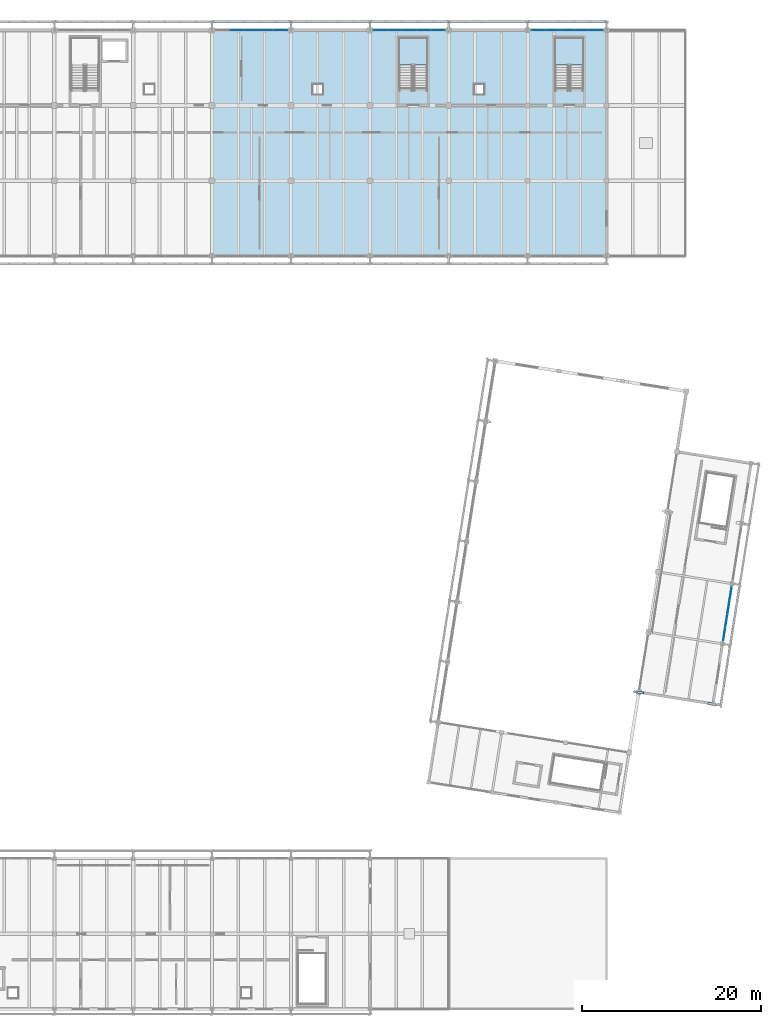
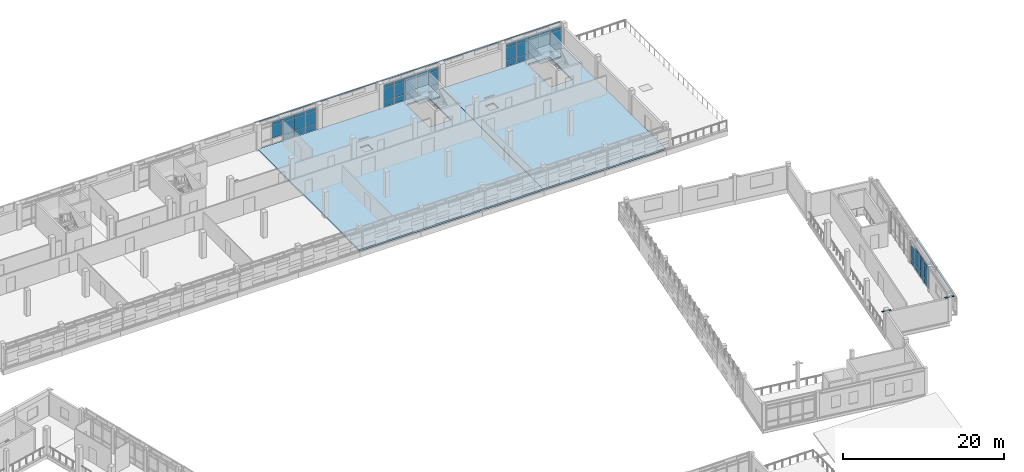
# One storey, part 91 of 117: 61 plates, 4 slabs, 6 elements without a shape of their own.
"""IFC4 building model written with IfcOpenShell, lengths in metres."""

from ifc_helpers import new_model, si_unit, direction, frame, origin, origin_2d, place, context, subcontext, project, spatial, polyline, rectangle, outline, extrude, material, layer, layer_set, type_object, element, aggregate, save


model = new_model("IFC4")

# Units and contexts
model_context = context("Model", 3, precision=1e-05, world=origin(), true_north=direction((0.0, 1.0)))
body_context = subcontext(model_context, "Body", "Model", "MODEL_VIEW")
ifc_project = project(units=[si_unit("LENGTHUNIT", "METRE"), si_unit("AREAUNIT", "SQUARE_METRE"), si_unit("VOLUMEUNIT", "CUBIC_METRE"), si_unit("PLANEANGLEUNIT", "RADIAN"), si_unit("MASSUNIT", "GRAM", prefix="KILO")], contexts=[model_context])

# Site, building, storey
site_placement = place(None, origin())
site = spatial("IfcSite", under=ifc_project, at=site_placement, CompositionType="ELEMENT")
building_placement = place(site_placement, origin())
building = spatial("IfcBuilding", under=site, at=building_placement, Name="Cinderway Yard Community Centre", CompositionType="ELEMENT")
storey_placement = place(building_placement, frame((0.0, 0.0, 9.0)))
storey = spatial("IfcBuildingStorey", under=building, at=storey_placement, Name="L02", CompositionType="ELEMENT", Elevation=9.0)

# Curtain wall, plates
ifc_material_1 = material(Name="Aluminium 6063-T6", Category="aluminium")
curtain_wall_type_1 = type_object("IfcCurtainWallType", Name="ENV-CW-TYPE-19", PredefinedType="USERDEFINED", material=ifc_material_1)
curtain_wall_1_placement = place(storey_placement, origin())
curtain_wall_1 = element("IfcCurtainWall", 1, at=curtain_wall_1_placement, inside=storey, type_object=curtain_wall_type_1, Name="Fitness East Curtain Wall ENV-CW-L02-ST-0067", ObjectType="GLAZED CURTAIN WALL", PredefinedType="USERDEFINED")
ifc_material_2 = material(Name="Laminated Low-E Glass", Category="glass")
ifc_layer_1 = layer(ifc_material_2, 0.028076171875, Name="Laminated Low-E Glass")
ifc_layer_set_1 = layer_set([ifc_layer_1], Name="Laminated Low-E Glass")
plate_type_1 = type_object("IfcPlateType", Name="ENV-CW-PAN-IGU28", PredefinedType="CURTAIN_PANEL", material=ifc_layer_set_1)
plate_1_placement = place(storey_placement, frame((149.9345703125, 47.853759765625, 0.06005859375), z_axis=(0.0, 0.0, 1.0), x_axis=(0.156417211778, 0.987691073089, 0.0)))
plate_1 = element("IfcPlate", 2, at=plate_1_placement, type_object=plate_type_1, Name="CW-19 panel 1.1", PredefinedType="CURTAIN_PANEL", context=body_context, shape_type="SweptSolid", body=[
    extrude(rectangle(XDim=1.434814453125, YDim=0.028076171875, at=origin_2d()), origin(), (0.0, 0.0, 1.0), 0.81005859375),
])
plate_2_placement = place(storey_placement, frame((149.9345703125, 47.853759765625, 0.929931640625), z_axis=(0.0, 0.0, 1.0), x_axis=(0.156417211778, 0.987691073089, 0.0)))
plate_2 = element("IfcPlate", 3, at=plate_2_placement, type_object=plate_type_1, Name="CW-19 panel 1.2", PredefinedType="CURTAIN_PANEL", context=body_context, shape_type="SweptSolid", body=[
    extrude(rectangle(XDim=1.434814453125, YDim=0.028076171875, at=origin_2d()), origin(), (0.0, 0.0, 1.0), 1.93994140625),
])
plate_3_placement = place(storey_placement, frame((149.9345703125, 47.853759765625, 2.929931640625), z_axis=(0.0, 0.0, 1.0), x_axis=(0.156417211778, 0.987691073089, 0.0)))
plate_3 = element("IfcPlate", 4, at=plate_3_placement, type_object=plate_type_1, Name="CW-19 panel 1.3", PredefinedType="CURTAIN_PANEL", context=body_context, shape_type="SweptSolid", body=[
    extrude(rectangle(XDim=1.434814453125, YDim=0.028076171875, at=origin_2d()), origin(), (0.0, 0.0, 1.0), 0.4599609375),
])
plate_4_placement = place(storey_placement, frame((150.170654296875, 49.344970703125, 0.06005859375), z_axis=(0.0, 0.0, 1.0), x_axis=(0.156417211778, 0.987691073089, 0.0)))
plate_4 = element("IfcPlate", 5, at=plate_4_placement, type_object=plate_type_1, Name="CW-19 panel 2.1", PredefinedType="CURTAIN_PANEL", context=body_context, shape_type="SweptSolid", body=[
    extrude(rectangle(XDim=1.46484375, YDim=0.028076171875, at=origin_2d()), origin(), (0.0, 0.0, 1.0), 0.81005859375),
])
plate_5_placement = place(storey_placement, frame((150.170654296875, 49.344970703125, 0.929931640625), z_axis=(0.0, 0.0, 1.0), x_axis=(0.156417211778, 0.987691073089, 0.0)))
plate_5 = element("IfcPlate", 6, at=plate_5_placement, type_object=plate_type_1, Name="CW-19 panel 2.2", PredefinedType="CURTAIN_PANEL", context=body_context, shape_type="SweptSolid", body=[
    extrude(rectangle(XDim=1.46484375, YDim=0.028076171875, at=origin_2d()), origin(), (0.0, 0.0, 1.0), 1.93994140625),
])
plate_6_placement = place(storey_placement, frame((150.170654296875, 49.344970703125, 2.929931640625), z_axis=(0.0, 0.0, 1.0), x_axis=(0.156417211778, 0.987691073089, 0.0)))
plate_6 = element("IfcPlate", 7, at=plate_6_placement, type_object=plate_type_1, Name="CW-19 panel 2.3", PredefinedType="CURTAIN_PANEL", context=body_context, shape_type="SweptSolid", body=[
    extrude(rectangle(XDim=1.46484375, YDim=0.028076171875, at=origin_2d()), origin(), (0.0, 0.0, 1.0), 0.4599609375),
])
plate_7_placement = place(storey_placement, frame((150.4091796875, 50.85107421875, 0.06005859375), z_axis=(0.0, 0.0, 1.0), x_axis=(0.156417211778, 0.987691073089, 0.0)))
plate_7 = element("IfcPlate", 8, at=plate_7_placement, type_object=plate_type_1, Name="CW-19 panel 3.1", PredefinedType="CURTAIN_PANEL", context=body_context, shape_type="SweptSolid", body=[
    extrude(rectangle(XDim=1.46484375, YDim=0.028076171875, at=origin_2d()), origin(), (0.0, 0.0, 1.0), 0.81005859375),
])
plate_8_placement = place(storey_placement, frame((150.4091796875, 50.85107421875, 0.929931640625), z_axis=(0.0, 0.0, 1.0), x_axis=(0.156417211778, 0.987691073089, 0.0)))
plate_8 = element("IfcPlate", 9, at=plate_8_placement, type_object=plate_type_1, Name="CW-19 panel 3.2", PredefinedType="CURTAIN_PANEL", context=body_context, shape_type="SweptSolid", body=[
    extrude(rectangle(XDim=1.46484375, YDim=0.028076171875, at=origin_2d()), origin(), (0.0, 0.0, 1.0), 1.93994140625),
])
plate_9_placement = place(storey_placement, frame((150.4091796875, 50.85107421875, 2.929931640625), z_axis=(0.0, 0.0, 1.0), x_axis=(0.156417211778, 0.987691073089, 0.0)))
plate_9 = element("IfcPlate", 10, at=plate_9_placement, type_object=plate_type_1, Name="CW-19 panel 3.3", PredefinedType="CURTAIN_PANEL", context=body_context, shape_type="SweptSolid", body=[
    extrude(rectangle(XDim=1.46484375, YDim=0.028076171875, at=origin_2d()), origin(), (0.0, 0.0, 1.0), 0.4599609375),
])
plate_10_placement = place(storey_placement, frame((150.6455078125, 52.34228515625, 0.06005859375), z_axis=(0.0, 0.0, 1.0), x_axis=(0.156417211778, 0.987691073089, 0.0)))
plate_10 = element("IfcPlate", 11, at=plate_10_placement, type_object=plate_type_1, Name="CW-19 panel 4.1", PredefinedType="CURTAIN_PANEL", context=body_context, shape_type="SweptSolid", body=[
    extrude(rectangle(XDim=1.434814453125, YDim=0.028076171875, at=origin_2d()), origin(), (0.0, 0.0, 1.0), 0.81005859375),
])
plate_11_placement = place(storey_placement, frame((150.6455078125, 52.34228515625, 0.929931640625), z_axis=(0.0, 0.0, 1.0), x_axis=(0.156417211778, 0.987691073089, 0.0)))
plate_11 = element("IfcPlate", 12, at=plate_11_placement, type_object=plate_type_1, Name="CW-19 panel 4.2", PredefinedType="CURTAIN_PANEL", context=body_context, shape_type="SweptSolid", body=[
    extrude(rectangle(XDim=1.434814453125, YDim=0.028076171875, at=origin_2d()), origin(), (0.0, 0.0, 1.0), 1.93994140625),
])
aggregate(curtain_wall_1, [plate_1, plate_2, plate_3, plate_4, plate_5, plate_6, plate_7, plate_8, plate_9, plate_10, plate_11])

curtain_wall_type_2 = type_object("IfcCurtainWallType", Name="ENV-CW-TYPE-30", PredefinedType="USERDEFINED", material=ifc_material_1)
curtain_wall_2_placement = place(storey_placement, origin())
curtain_wall_2 = element("IfcCurtainWall", 13, at=curtain_wall_2_placement, inside=storey, type_object=curtain_wall_type_2, Name="V4 Street Curtain Wall ENV-CW-L02-ST-0151", ObjectType="GLAZED CURTAIN WALL", PredefinedType="USERDEFINED")
plate_12_placement = place(storey_placement, frame((95.592041015625, 115.199951171875, 0.929931640625), z_axis=(0.0, 0.0, 1.0), x_axis=(1.0, 0.0, 0.0)))
plate_12 = element("IfcPlate", 14, at=plate_12_placement, type_object=plate_type_1, Name="CW-30 panel 2.2", PredefinedType="CURTAIN_PANEL", context=body_context, shape_type="SweptSolid", body=[
    extrude(rectangle(XDim=1.548095703125, YDim=0.028076171875, at=origin_2d()), origin(), (0.0, 0.0, 1.0), 1.93994140625),
])
plate_13_placement = place(storey_placement, frame((95.592041015625, 115.199951171875, 2.929931640625), z_axis=(0.0, 0.0, 1.0), x_axis=(1.0, 0.0, 0.0)))
plate_13 = element("IfcPlate", 15, at=plate_13_placement, type_object=plate_type_1, Name="CW-30 panel 2.3", PredefinedType="CURTAIN_PANEL", context=body_context, shape_type="SweptSolid", body=[
    extrude(rectangle(XDim=1.548095703125, YDim=0.028076171875, at=origin_2d()), origin(), (0.0, 0.0, 1.0), 0.4599609375),
])
plate_14_placement = place(storey_placement, frame((97.199951171875, 115.199951171875, 0.06005859375), z_axis=(0.0, 0.0, 1.0), x_axis=(1.0, 0.0, 0.0)))
plate_14 = element("IfcPlate", 16, at=plate_14_placement, type_object=plate_type_1, Name="CW-30 panel 3.1", PredefinedType="CURTAIN_PANEL", context=body_context, shape_type="SweptSolid", body=[
    extrude(rectangle(XDim=1.548095703125, YDim=0.028076171875, at=origin_2d()), origin(), (0.0, 0.0, 1.0), 0.81005859375),
])
plate_15_placement = place(storey_placement, frame((97.199951171875, 115.199951171875, 0.929931640625), z_axis=(0.0, 0.0, 1.0), x_axis=(1.0, 0.0, 0.0)))
plate_15 = element("IfcPlate", 17, at=plate_15_placement, type_object=plate_type_1, Name="CW-30 panel 3.2", PredefinedType="CURTAIN_PANEL", context=body_context, shape_type="SweptSolid", body=[
    extrude(rectangle(XDim=1.548095703125, YDim=0.028076171875, at=origin_2d()), origin(), (0.0, 0.0, 1.0), 1.93994140625),
])
plate_16_placement = place(storey_placement, frame((97.199951171875, 115.199951171875, 2.929931640625), z_axis=(0.0, 0.0, 1.0), x_axis=(1.0, 0.0, 0.0)))
plate_16 = element("IfcPlate", 18, at=plate_16_placement, type_object=plate_type_1, Name="CW-30 panel 3.3", PredefinedType="CURTAIN_PANEL", context=body_context, shape_type="SweptSolid", body=[
    extrude(rectangle(XDim=1.548095703125, YDim=0.028076171875, at=origin_2d()), origin(), (0.0, 0.0, 1.0), 0.4599609375),
])
plate_17_placement = place(storey_placement, frame((98.80810546875, 115.199951171875, 0.06005859375), z_axis=(0.0, 0.0, 1.0), x_axis=(1.0, 0.0, 0.0)))
plate_17 = element("IfcPlate", 19, at=plate_17_placement, type_object=plate_type_1, Name="CW-30 panel 4.1", PredefinedType="CURTAIN_PANEL", context=body_context, shape_type="SweptSolid", body=[
    extrude(rectangle(XDim=1.548095703125, YDim=0.028076171875, at=origin_2d()), origin(), (0.0, 0.0, 1.0), 0.81005859375),
])
plate_18_placement = place(storey_placement, frame((98.80810546875, 115.199951171875, 0.929931640625), z_axis=(0.0, 0.0, 1.0), x_axis=(1.0, 0.0, 0.0)))
plate_18 = element("IfcPlate", 20, at=plate_18_placement, type_object=plate_type_1, Name="CW-30 panel 4.2", PredefinedType="CURTAIN_PANEL", context=body_context, shape_type="SweptSolid", body=[
    extrude(rectangle(XDim=1.548095703125, YDim=0.028076171875, at=origin_2d()), origin(), (0.0, 0.0, 1.0), 1.93994140625),
])
plate_19_placement = place(storey_placement, frame((98.80810546875, 115.199951171875, 2.929931640625), z_axis=(0.0, 0.0, 1.0), x_axis=(1.0, 0.0, 0.0)))
plate_19 = element("IfcPlate", 21, at=plate_19_placement, type_object=plate_type_1, Name="CW-30 panel 4.3", PredefinedType="CURTAIN_PANEL", context=body_context, shape_type="SweptSolid", body=[
    extrude(rectangle(XDim=1.548095703125, YDim=0.028076171875, at=origin_2d()), origin(), (0.0, 0.0, 1.0), 0.4599609375),
])
plate_20_placement = place(storey_placement, frame((100.40087890625, 115.199951171875, 0.06005859375), z_axis=(0.0, 0.0, 1.0), x_axis=(1.0, 0.0, 0.0)))
plate_20 = element("IfcPlate", 22, at=plate_20_placement, type_object=plate_type_1, Name="CW-30 panel 5.1", PredefinedType="CURTAIN_PANEL", context=body_context, shape_type="SweptSolid", body=[
    extrude(rectangle(XDim=1.51806640625, YDim=0.028076171875, at=origin_2d()), origin(), (0.0, 0.0, 1.0), 0.81005859375),
])
plate_21_placement = place(storey_placement, frame((100.40087890625, 115.199951171875, 0.929931640625), z_axis=(0.0, 0.0, 1.0), x_axis=(1.0, 0.0, 0.0)))
plate_21 = element("IfcPlate", 23, at=plate_21_placement, type_object=plate_type_1, Name="CW-30 panel 5.2", PredefinedType="CURTAIN_PANEL", context=body_context, shape_type="SweptSolid", body=[
    extrude(rectangle(XDim=1.51806640625, YDim=0.028076171875, at=origin_2d()), origin(), (0.0, 0.0, 1.0), 1.93994140625),
])
plate_22_placement = place(storey_placement, frame((100.40087890625, 115.199951171875, 2.929931640625), z_axis=(0.0, 0.0, 1.0), x_axis=(1.0, 0.0, 0.0)))
plate_22 = element("IfcPlate", 24, at=plate_22_placement, type_object=plate_type_1, Name="CW-30 panel 5.3", PredefinedType="CURTAIN_PANEL", context=body_context, shape_type="SweptSolid", body=[
    extrude(rectangle(XDim=1.51806640625, YDim=0.028076171875, at=origin_2d()), origin(), (0.0, 0.0, 1.0), 0.4599609375),
])
aggregate(curtain_wall_2, [plate_12, plate_13, plate_14, plate_15, plate_16, plate_17, plate_18, plate_19, plate_20, plate_21, plate_22])

curtain_wall_3_placement = place(storey_placement, origin())
curtain_wall_3 = element("IfcCurtainWall", 25, at=curtain_wall_3_placement, inside=storey, type_object=curtain_wall_type_2, Name="V4 Street Curtain Wall ENV-CW-L02-ST-0154", ObjectType="GLAZED CURTAIN WALL", PredefinedType="USERDEFINED")
plate_23_placement = place(storey_placement, frame((111.59912109375, 115.199951171875, 0.06005859375), z_axis=(0.0, 0.0, 1.0), x_axis=(1.0, 0.0, 0.0)))
plate_23 = element("IfcPlate", 26, at=plate_23_placement, type_object=plate_type_1, Name="CW-30 panel 1.1", PredefinedType="CURTAIN_PANEL", context=body_context, shape_type="SweptSolid", body=[
    extrude(rectangle(XDim=1.51806640625, YDim=0.028076171875, at=origin_2d()), origin(), (0.0, 0.0, 1.0), 0.81005859375),
])
plate_24_placement = place(storey_placement, frame((111.59912109375, 115.199951171875, 0.929931640625), z_axis=(0.0, 0.0, 1.0), x_axis=(1.0, 0.0, 0.0)))
plate_24 = element("IfcPlate", 27, at=plate_24_placement, type_object=plate_type_1, Name="CW-30 panel 1.2", PredefinedType="CURTAIN_PANEL", context=body_context, shape_type="SweptSolid", body=[
    extrude(rectangle(XDim=1.51806640625, YDim=0.028076171875, at=origin_2d()), origin(), (0.0, 0.0, 1.0), 1.93994140625),
])
plate_25_placement = place(storey_placement, frame((111.59912109375, 115.199951171875, 2.929931640625), z_axis=(0.0, 0.0, 1.0), x_axis=(1.0, 0.0, 0.0)))
plate_25 = element("IfcPlate", 28, at=plate_25_placement, type_object=plate_type_1, Name="CW-30 panel 1.3", PredefinedType="CURTAIN_PANEL", context=body_context, shape_type="SweptSolid", body=[
    extrude(rectangle(XDim=1.51806640625, YDim=0.028076171875, at=origin_2d()), origin(), (0.0, 0.0, 1.0), 0.4599609375),
])
plate_26_placement = place(storey_placement, frame((113.19189453125, 115.199951171875, 0.06005859375), z_axis=(0.0, 0.0, 1.0), x_axis=(1.0, 0.0, 0.0)))
plate_26 = element("IfcPlate", 29, at=plate_26_placement, type_object=plate_type_1, Name="CW-30 panel 2.1", PredefinedType="CURTAIN_PANEL", context=body_context, shape_type="SweptSolid", body=[
    extrude(rectangle(XDim=1.548095703125, YDim=0.028076171875, at=origin_2d()), origin(), (0.0, 0.0, 1.0), 0.81005859375),
])
plate_27_placement = place(storey_placement, frame((113.19189453125, 115.199951171875, 0.929931640625), z_axis=(0.0, 0.0, 1.0), x_axis=(1.0, 0.0, 0.0)))
plate_27 = element("IfcPlate", 30, at=plate_27_placement, type_object=plate_type_1, Name="CW-30 panel 2.2", PredefinedType="CURTAIN_PANEL", context=body_context, shape_type="SweptSolid", body=[
    extrude(rectangle(XDim=1.548095703125, YDim=0.028076171875, at=origin_2d()), origin(), (0.0, 0.0, 1.0), 1.93994140625),
])
plate_28_placement = place(storey_placement, frame((113.19189453125, 115.199951171875, 2.929931640625), z_axis=(0.0, 0.0, 1.0), x_axis=(1.0, 0.0, 0.0)))
plate_28 = element("IfcPlate", 31, at=plate_28_placement, type_object=plate_type_1, Name="CW-30 panel 2.3", PredefinedType="CURTAIN_PANEL", context=body_context, shape_type="SweptSolid", body=[
    extrude(rectangle(XDim=1.548095703125, YDim=0.028076171875, at=origin_2d()), origin(), (0.0, 0.0, 1.0), 0.4599609375),
])
plate_29_placement = place(storey_placement, frame((114.800048828125, 115.199951171875, 0.06005859375), z_axis=(0.0, 0.0, 1.0), x_axis=(1.0, 0.0, 0.0)))
plate_29 = element("IfcPlate", 32, at=plate_29_placement, type_object=plate_type_1, Name="CW-30 panel 3.1", PredefinedType="CURTAIN_PANEL", context=body_context, shape_type="SweptSolid", body=[
    extrude(rectangle(XDim=1.548095703125, YDim=0.028076171875, at=origin_2d()), origin(), (0.0, 0.0, 1.0), 0.81005859375),
])
plate_30_placement = place(storey_placement, frame((114.800048828125, 115.199951171875, 0.929931640625), z_axis=(0.0, 0.0, 1.0), x_axis=(1.0, 0.0, 0.0)))
plate_30 = element("IfcPlate", 33, at=plate_30_placement, type_object=plate_type_1, Name="CW-30 panel 3.2", PredefinedType="CURTAIN_PANEL", context=body_context, shape_type="SweptSolid", body=[
    extrude(rectangle(XDim=1.548095703125, YDim=0.028076171875, at=origin_2d()), origin(), (0.0, 0.0, 1.0), 1.93994140625),
])
plate_31_placement = place(storey_placement, frame((114.800048828125, 115.199951171875, 2.929931640625), z_axis=(0.0, 0.0, 1.0), x_axis=(1.0, 0.0, 0.0)))
plate_31 = element("IfcPlate", 34, at=plate_31_placement, type_object=plate_type_1, Name="CW-30 panel 3.3", PredefinedType="CURTAIN_PANEL", context=body_context, shape_type="SweptSolid", body=[
    extrude(rectangle(XDim=1.548095703125, YDim=0.028076171875, at=origin_2d()), origin(), (0.0, 0.0, 1.0), 0.4599609375),
])
plate_32_placement = place(storey_placement, frame((116.407958984375, 115.199951171875, 0.06005859375), z_axis=(0.0, 0.0, 1.0), x_axis=(1.0, 0.0, 0.0)))
plate_32 = element("IfcPlate", 35, at=plate_32_placement, type_object=plate_type_1, Name="CW-30 panel 4.1", PredefinedType="CURTAIN_PANEL", context=body_context, shape_type="SweptSolid", body=[
    extrude(rectangle(XDim=1.548095703125, YDim=0.028076171875, at=origin_2d()), origin(), (0.0, 0.0, 1.0), 0.81005859375),
])
plate_33_placement = place(storey_placement, frame((116.407958984375, 115.199951171875, 0.929931640625), z_axis=(0.0, 0.0, 1.0), x_axis=(1.0, 0.0, 0.0)))
plate_33 = element("IfcPlate", 36, at=plate_33_placement, type_object=plate_type_1, Name="CW-30 panel 4.2", PredefinedType="CURTAIN_PANEL", context=body_context, shape_type="SweptSolid", body=[
    extrude(rectangle(XDim=1.548095703125, YDim=0.028076171875, at=origin_2d()), origin(), (0.0, 0.0, 1.0), 1.93994140625),
])
plate_34_placement = place(storey_placement, frame((116.407958984375, 115.199951171875, 2.929931640625), z_axis=(0.0, 0.0, 1.0), x_axis=(1.0, 0.0, 0.0)))
plate_34 = element("IfcPlate", 37, at=plate_34_placement, type_object=plate_type_1, Name="CW-30 panel 4.3", PredefinedType="CURTAIN_PANEL", context=body_context, shape_type="SweptSolid", body=[
    extrude(rectangle(XDim=1.548095703125, YDim=0.028076171875, at=origin_2d()), origin(), (0.0, 0.0, 1.0), 0.4599609375),
])
plate_35_placement = place(storey_placement, frame((118.0009765625, 115.199951171875, 0.06005859375), z_axis=(0.0, 0.0, 1.0), x_axis=(1.0, 0.0, 0.0)))
plate_35 = element("IfcPlate", 38, at=plate_35_placement, type_object=plate_type_1, Name="CW-30 panel 5.1", PredefinedType="CURTAIN_PANEL", context=body_context, shape_type="SweptSolid", body=[
    extrude(rectangle(XDim=1.51806640625, YDim=0.028076171875, at=origin_2d()), origin(), (0.0, 0.0, 1.0), 0.81005859375),
])
plate_36_placement = place(storey_placement, frame((118.0009765625, 115.199951171875, 0.929931640625), z_axis=(0.0, 0.0, 1.0), x_axis=(1.0, 0.0, 0.0)))
plate_36 = element("IfcPlate", 39, at=plate_36_placement, type_object=plate_type_1, Name="CW-30 panel 5.2", PredefinedType="CURTAIN_PANEL", context=body_context, shape_type="SweptSolid", body=[
    extrude(rectangle(XDim=1.51806640625, YDim=0.028076171875, at=origin_2d()), origin(), (0.0, 0.0, 1.0), 1.93994140625),
])
plate_37_placement = place(storey_placement, frame((118.0009765625, 115.199951171875, 2.929931640625), z_axis=(0.0, 0.0, 1.0), x_axis=(1.0, 0.0, 0.0)))
plate_37 = element("IfcPlate", 40, at=plate_37_placement, type_object=plate_type_1, Name="CW-30 panel 5.3", PredefinedType="CURTAIN_PANEL", context=body_context, shape_type="SweptSolid", body=[
    extrude(rectangle(XDim=1.51806640625, YDim=0.028076171875, at=origin_2d()), origin(), (0.0, 0.0, 1.0), 0.4599609375),
])
aggregate(curtain_wall_3, [plate_23, plate_24, plate_25, plate_26, plate_27, plate_28, plate_29, plate_30, plate_31, plate_32, plate_33, plate_34, plate_35, plate_36, plate_37])

curtain_wall_4_placement = place(storey_placement, origin())
curtain_wall_4 = element("IfcCurtainWall", 41, at=curtain_wall_4_placement, inside=storey, type_object=curtain_wall_type_2, Name="V4 Street Curtain Wall ENV-CW-L02-ST-0157", ObjectType="GLAZED CURTAIN WALL", PredefinedType="USERDEFINED")
plate_38_placement = place(storey_placement, frame((129.198974609375, 115.199951171875, 0.06005859375), z_axis=(0.0, 0.0, 1.0), x_axis=(1.0, 0.0, 0.0)))
plate_38 = element("IfcPlate", 42, at=plate_38_placement, type_object=plate_type_1, Name="CW-30 panel 1.1", PredefinedType="CURTAIN_PANEL", context=body_context, shape_type="SweptSolid", body=[
    extrude(rectangle(XDim=1.51806640625, YDim=0.028076171875, at=origin_2d()), origin(), (0.0, 0.0, 1.0), 0.81005859375),
])
plate_39_placement = place(storey_placement, frame((129.198974609375, 115.199951171875, 0.929931640625), z_axis=(0.0, 0.0, 1.0), x_axis=(1.0, 0.0, 0.0)))
plate_39 = element("IfcPlate", 43, at=plate_39_placement, type_object=plate_type_1, Name="CW-30 panel 1.2", PredefinedType="CURTAIN_PANEL", context=body_context, shape_type="SweptSolid", body=[
    extrude(rectangle(XDim=1.51806640625, YDim=0.028076171875, at=origin_2d()), origin(), (0.0, 0.0, 1.0), 1.93994140625),
])
plate_40_placement = place(storey_placement, frame((129.198974609375, 115.199951171875, 2.929931640625), z_axis=(0.0, 0.0, 1.0), x_axis=(1.0, 0.0, 0.0)))
plate_40 = element("IfcPlate", 44, at=plate_40_placement, type_object=plate_type_1, Name="CW-30 panel 1.3", PredefinedType="CURTAIN_PANEL", context=body_context, shape_type="SweptSolid", body=[
    extrude(rectangle(XDim=1.51806640625, YDim=0.028076171875, at=origin_2d()), origin(), (0.0, 0.0, 1.0), 0.4599609375),
])
plate_41_placement = place(storey_placement, frame((130.7919921875, 115.199951171875, 0.06005859375), z_axis=(0.0, 0.0, 1.0), x_axis=(1.0, 0.0, 0.0)))
plate_41 = element("IfcPlate", 45, at=plate_41_placement, type_object=plate_type_1, Name="CW-30 panel 2.1", PredefinedType="CURTAIN_PANEL", context=body_context, shape_type="SweptSolid", body=[
    extrude(rectangle(XDim=1.548095703125, YDim=0.028076171875, at=origin_2d()), origin(), (0.0, 0.0, 1.0), 0.81005859375),
])
plate_42_placement = place(storey_placement, frame((130.7919921875, 115.199951171875, 0.929931640625), z_axis=(0.0, 0.0, 1.0), x_axis=(1.0, 0.0, 0.0)))
plate_42 = element("IfcPlate", 46, at=plate_42_placement, type_object=plate_type_1, Name="CW-30 panel 2.2", PredefinedType="CURTAIN_PANEL", context=body_context, shape_type="SweptSolid", body=[
    extrude(rectangle(XDim=1.548095703125, YDim=0.028076171875, at=origin_2d()), origin(), (0.0, 0.0, 1.0), 1.93994140625),
])
plate_43_placement = place(storey_placement, frame((130.7919921875, 115.199951171875, 2.929931640625), z_axis=(0.0, 0.0, 1.0), x_axis=(1.0, 0.0, 0.0)))
plate_43 = element("IfcPlate", 47, at=plate_43_placement, type_object=plate_type_1, Name="CW-30 panel 2.3", PredefinedType="CURTAIN_PANEL", context=body_context, shape_type="SweptSolid", body=[
    extrude(rectangle(XDim=1.548095703125, YDim=0.028076171875, at=origin_2d()), origin(), (0.0, 0.0, 1.0), 0.4599609375),
])
plate_44_placement = place(storey_placement, frame((132.39990234375, 115.199951171875, 0.06005859375), z_axis=(0.0, 0.0, 1.0), x_axis=(1.0, 0.0, 0.0)))
plate_44 = element("IfcPlate", 48, at=plate_44_placement, type_object=plate_type_1, Name="CW-30 panel 3.1", PredefinedType="CURTAIN_PANEL", context=body_context, shape_type="SweptSolid", body=[
    extrude(rectangle(XDim=1.548095703125, YDim=0.028076171875, at=origin_2d()), origin(), (0.0, 0.0, 1.0), 0.81005859375),
])
plate_45_placement = place(storey_placement, frame((132.39990234375, 115.199951171875, 0.929931640625), z_axis=(0.0, 0.0, 1.0), x_axis=(1.0, 0.0, 0.0)))
plate_45 = element("IfcPlate", 49, at=plate_45_placement, type_object=plate_type_1, Name="CW-30 panel 3.2", PredefinedType="CURTAIN_PANEL", context=body_context, shape_type="SweptSolid", body=[
    extrude(rectangle(XDim=1.548095703125, YDim=0.028076171875, at=origin_2d()), origin(), (0.0, 0.0, 1.0), 1.93994140625),
])
plate_46_placement = place(storey_placement, frame((132.39990234375, 115.199951171875, 2.929931640625), z_axis=(0.0, 0.0, 1.0), x_axis=(1.0, 0.0, 0.0)))
plate_46 = element("IfcPlate", 50, at=plate_46_placement, type_object=plate_type_1, Name="CW-30 panel 3.3", PredefinedType="CURTAIN_PANEL", context=body_context, shape_type="SweptSolid", body=[
    extrude(rectangle(XDim=1.548095703125, YDim=0.028076171875, at=origin_2d()), origin(), (0.0, 0.0, 1.0), 0.4599609375),
])
plate_47_placement = place(storey_placement, frame((134.008056640625, 115.199951171875, 0.06005859375), z_axis=(0.0, 0.0, 1.0), x_axis=(1.0, 0.0, 0.0)))
plate_47 = element("IfcPlate", 51, at=plate_47_placement, type_object=plate_type_1, Name="CW-30 panel 4.1", PredefinedType="CURTAIN_PANEL", context=body_context, shape_type="SweptSolid", body=[
    extrude(rectangle(XDim=1.548095703125, YDim=0.028076171875, at=origin_2d()), origin(), (0.0, 0.0, 1.0), 0.81005859375),
])
plate_48_placement = place(storey_placement, frame((134.008056640625, 115.199951171875, 0.929931640625), z_axis=(0.0, 0.0, 1.0), x_axis=(1.0, 0.0, 0.0)))
plate_48 = element("IfcPlate", 52, at=plate_48_placement, type_object=plate_type_1, Name="CW-30 panel 4.2", PredefinedType="CURTAIN_PANEL", context=body_context, shape_type="SweptSolid", body=[
    extrude(rectangle(XDim=1.548095703125, YDim=0.028076171875, at=origin_2d()), origin(), (0.0, 0.0, 1.0), 1.93994140625),
])
plate_49_placement = place(storey_placement, frame((134.008056640625, 115.199951171875, 2.929931640625), z_axis=(0.0, 0.0, 1.0), x_axis=(1.0, 0.0, 0.0)))
plate_49 = element("IfcPlate", 53, at=plate_49_placement, type_object=plate_type_1, Name="CW-30 panel 4.3", PredefinedType="CURTAIN_PANEL", context=body_context, shape_type="SweptSolid", body=[
    extrude(rectangle(XDim=1.548095703125, YDim=0.028076171875, at=origin_2d()), origin(), (0.0, 0.0, 1.0), 0.4599609375),
])
plate_50_placement = place(storey_placement, frame((135.60107421875, 115.199951171875, 0.06005859375), z_axis=(0.0, 0.0, 1.0), x_axis=(1.0, 0.0, 0.0)))
plate_50 = element("IfcPlate", 54, at=plate_50_placement, type_object=plate_type_1, Name="CW-30 panel 5.1", PredefinedType="CURTAIN_PANEL", context=body_context, shape_type="SweptSolid", body=[
    extrude(rectangle(XDim=1.51806640625, YDim=0.028076171875, at=origin_2d()), origin(), (0.0, 0.0, 1.0), 0.81005859375),
])
plate_51_placement = place(storey_placement, frame((135.60107421875, 115.199951171875, 0.929931640625), z_axis=(0.0, 0.0, 1.0), x_axis=(1.0, 0.0, 0.0)))
plate_51 = element("IfcPlate", 55, at=plate_51_placement, type_object=plate_type_1, Name="CW-30 panel 5.2", PredefinedType="CURTAIN_PANEL", context=body_context, shape_type="SweptSolid", body=[
    extrude(rectangle(XDim=1.51806640625, YDim=0.028076171875, at=origin_2d()), origin(), (0.0, 0.0, 1.0), 1.93994140625),
])
plate_52_placement = place(storey_placement, frame((135.60107421875, 115.199951171875, 2.929931640625), z_axis=(0.0, 0.0, 1.0), x_axis=(1.0, 0.0, 0.0)))
plate_52 = element("IfcPlate", 56, at=plate_52_placement, type_object=plate_type_1, Name="CW-30 panel 5.3", PredefinedType="CURTAIN_PANEL", context=body_context, shape_type="SweptSolid", body=[
    extrude(rectangle(XDim=1.51806640625, YDim=0.028076171875, at=origin_2d()), origin(), (0.0, 0.0, 1.0), 0.4599609375),
])
aggregate(curtain_wall_4, [plate_38, plate_39, plate_40, plate_41, plate_42, plate_43, plate_44, plate_45, plate_46, plate_47, plate_48, plate_49, plate_50, plate_51, plate_52])

# Plates
ifc_layer_2 = layer(ifc_material_1, 0.01611328125, Name="Aluminium 6063-T6")
ifc_layer_set_2 = layer_set([ifc_layer_2], Name="Aluminium 6063-T6")
plate_type_2 = type_object("IfcPlateType", Name="ENV-PLT-FASCIA16", PredefinedType="USERDEFINED", material=ifc_layer_set_2)
for number, where, z_axis, x_axis, name in (
    (57, (97.199951171875, 116.14990234375, 3.411865234375), (0.0, 0.0, 1.0), (1.0, 0.0, 0.0), "Screen coping fascia 0019"),
    (58, (106.0, 116.14990234375, 3.411865234375), (0.0, 0.0, 1.0), (1.0, 0.0, 0.0), "Screen coping fascia 0020"),
    (59, (114.800048828125, 116.14990234375, 3.411865234375), (0.0, 0.0, 1.0), (1.0, 0.0, 0.0), "Screen coping fascia 0021"),
    (60, (123.60009765625, 116.14990234375, 3.411865234375), (0.0, 0.0, 1.0), (1.0, 0.0, 0.0), "Screen coping fascia 0022"),
    (61, (132.39990234375, 116.14990234375, 3.411865234375), (0.0, 0.0, 1.0), (1.0, 0.0, 0.0), "Screen coping fascia 0023"),
):
    element("IfcPlate", number, at=place(storey_placement, frame(where, z_axis=z_axis, x_axis=x_axis)), inside=storey, type_object=plate_type_2, Name=name, ObjectType="FASCIA PLATE", PredefinedType="USERDEFINED", context=body_context, shape_type="SweptSolid", body=[
        extrude(rectangle(XDim=8.699951171875, YDim=0.260009765625, at=origin_2d()), origin(), (0.0, 0.0, 1.0), 0.01611328125),
    ])
plate_53_placement = place(storey_placement, frame((150.06591796875, 43.248046875, 3.411865234375), z_axis=(0.0, 0.0, 1.0), x_axis=(-0.15643446504, -0.987688340595, 0.0)))
element("IfcPlate", 62, at=plate_53_placement, inside=storey, type_object=plate_type_2, Name="Screen coping fascia 0144", ObjectType="FASCIA PLATE", PredefinedType="USERDEFINED", context=body_context, shape_type="SweptSolid", body=[
    extrude(rectangle(XDim=6.700927734375, YDim=0.260009765625, at=origin_2d()), origin(), (0.0, 0.0, 1.0), 0.01611328125),
])
plate_54_placement = place(storey_placement, frame((151.1298828125, 49.965087890625, 3.411865234375), z_axis=(0.0, 0.0, 1.0), x_axis=(-0.15643446504, -0.987688340595, 0.0)))
element("IfcPlate", 63, at=plate_54_placement, inside=storey, type_object=plate_type_2, Name="Screen coping fascia 0145", ObjectType="FASCIA PLATE", PredefinedType="USERDEFINED", context=body_context, shape_type="SweptSolid", body=[
    extrude(rectangle(XDim=6.699951171875, YDim=0.260009765625, at=origin_2d()), origin(), (0.0, 0.0, 1.0), 0.01611328125),
])

# Stair, slab
ifc_material_3 = material(Name="Concrete C40/50", Category="concrete")
stair_type = type_object("IfcStairType", Name="INT-STR-390A", PredefinedType="HALF_TURN_STAIR", material=ifc_material_3)
stair_1_placement = place(storey_placement, origin())
stair_1 = element("IfcStair", 64, at=stair_1_placement, inside=storey, type_object=stair_type, Name="L02 Core C2B Exit Stair ST-03", PredefinedType="HALF_TURN_STAIR")
ifc_layer_3 = layer(ifc_material_3, 0.199951171875, Name="Concrete C40/50")
ifc_layer_set_3 = layer_set([ifc_layer_3], Name="Concrete C40/50")
slab_type_1 = type_object("IfcSlabType", Name="INT-SLB-LND200", PredefinedType="LANDING", material=ifc_layer_set_3)
slab_1_placement = place(storey_placement, frame((0.0, 0.0, 1.75)))
slab_1 = element("IfcSlab", 65, at=slab_1_placement, type_object=slab_type_1, Name="ST-03 landing 1", PredefinedType="LANDING", context=body_context, shape_type="SweptSolid", body=[
    extrude(outline(polyline([(116.800048828125, 111.330078125), (116.800048828125, 114.35009765625), (113.679931640625, 114.35009765625), (113.679931640625, 111.330078125), (116.800048828125, 111.330078125)])), origin(), (0.0, 0.0, 1.0), 0.199951171875),
])
aggregate(stair_1, [slab_1])

stair_2_placement = place(storey_placement, origin())
stair_2 = element("IfcStair", 66, at=stair_2_placement, inside=storey, type_object=stair_type, Name="L02 Core C2C Exit Stair ST-04", PredefinedType="HALF_TURN_STAIR")
slab_2_placement = place(storey_placement, frame((0.0, 0.0, 1.75)))
slab_2 = element("IfcSlab", 67, at=slab_2_placement, type_object=slab_type_1, Name="ST-04 landing 1", PredefinedType="LANDING", context=body_context, shape_type="SweptSolid", body=[
    extrude(outline(polyline([(134.199951171875, 111.330078125), (134.199951171875, 114.35009765625), (131.080078125, 114.35009765625), (131.080078125, 111.330078125), (134.199951171875, 111.330078125)])), origin(), (0.0, 0.0, 1.0), 0.199951171875),
])
aggregate(stair_2, [slab_2])

# Plates
ifc_material_4 = material(Name="Steel S355", Category="steel")
ifc_layer_4 = layer(ifc_material_4, 0.02392578125, Name="Steel S355")
ifc_layer_set_4 = layer_set([ifc_layer_4], Name="Steel S355")
plate_type_3 = type_object("IfcPlateType", Name="STR-PLT-STIFF-16", PredefinedType="SHEET", material=ifc_layer_set_4)
plate_55_placement = place(storey_placement, frame((140.39794921875, 41.3369140625, 3.588134765625), z_axis=(0.0, 0.0, 1.0), x_axis=(0.987688340595, -0.15643446504, 0.0)))
element("IfcPlate", 68, at=plate_55_placement, inside=storey, type_object=plate_type_3, Name="Column head stiffener plate 16", PredefinedType="SHEET", context=body_context, shape_type="SweptSolid", body=[
    extrude(rectangle(XDim=1.159912109375, YDim=0.235107421875, at=origin_2d()), origin(), (0.0, 0.0, 1.0), 0.02392578125),
])
ifc_layer_5 = layer(ifc_material_4, 0.028076171875, Name="Steel S355")
ifc_layer_set_5 = layer_set([ifc_layer_5], Name="Steel S355")
plate_type_4 = type_object("IfcPlateType", Name="STR-PLT-STIFF-18", PredefinedType="SHEET", material=ifc_layer_set_5)
plate_56_placement = place(storey_placement, frame((148.694091796875, 40.02294921875, 3.5859375), z_axis=(0.0, 0.0, 1.0), x_axis=(0.987688340595, -0.15643446504, 0.0)))
element("IfcPlate", 69, at=plate_56_placement, inside=storey, type_object=plate_type_4, Name="Column head stiffener plate 18", PredefinedType="SHEET", context=body_context, shape_type="SweptSolid", body=[
    extrude(rectangle(XDim=1.219970703125, YDim=0.284912109375, at=origin_2d()), origin(), (0.0, 0.0, 1.0), 0.028076171875),
])

# Slabs
ifc_material_5 = material(Name="Concrete C35/45", Category="concrete")
ifc_layer_6 = layer(ifc_material_5, 0.239990234375, Name="Concrete C35/45")
ifc_layer_set_6 = layer_set([ifc_layer_6], Name="Concrete C35/45")
slab_type_2 = type_object("IfcSlabType", Name="STR-SLAB-FLR-240", PredefinedType="FLOOR", material=ifc_layer_set_6)
slab_3_placement = place(storey_placement, frame((0.0, 0.0, -0.239990234375)))
element("IfcSlab", 70, at=slab_3_placement, inside=storey, type_object=slab_type_2, Name="V4 Central Studios Slab L02 STR-SLAB-L02-031", PredefinedType="FLOOR", context=body_context, shape_type="SweptSolid", body=[
    extrude(outline(polyline([(92.800048828125, 90.0), (119.199951171875, 90.0), (119.199951171875, 115.199951171875), (92.800048828125, 115.199951171875), (92.800048828125, 90.0)]), holes=[polyline([(116.800048828125, 108.669921875), (116.800048828125, 114.35009765625), (113.679931640625, 114.35009765625), (113.679931640625, 108.669921875), (116.800048828125, 108.669921875)]), polyline([(104.0, 108.0), (105.199951171875, 108.0), (105.199951171875, 109.199951171875), (104.0, 109.199951171875), (104.0, 108.0)])]), origin(), (0.0, 0.0, 1.0), 0.239990234375),
])
slab_4_placement = place(storey_placement, frame((0.0, 0.0, -0.239990234375)))
element("IfcSlab", 71, at=slab_4_placement, inside=storey, type_object=slab_type_2, Name="V4 East Studios Slab L02 STR-SLAB-L02-032", PredefinedType="FLOOR", context=body_context, shape_type="SweptSolid", body=[
    extrude(outline(polyline([(119.199951171875, 90.0), (136.800048828125, 90.0), (136.800048828125, 115.199951171875), (119.199951171875, 115.199951171875), (119.199951171875, 90.0)]), holes=[polyline([(134.199951171875, 108.669921875), (134.199951171875, 114.35009765625), (131.080078125, 114.35009765625), (131.080078125, 108.669921875), (134.199951171875, 108.669921875)]), polyline([(122.0, 108.0), (123.199951171875, 108.0), (123.199951171875, 109.199951171875), (122.0, 109.199951171875), (122.0, 108.0)])]), origin(), (0.0, 0.0, 1.0), 0.239990234375),
])

save(model, "model.ifc")
